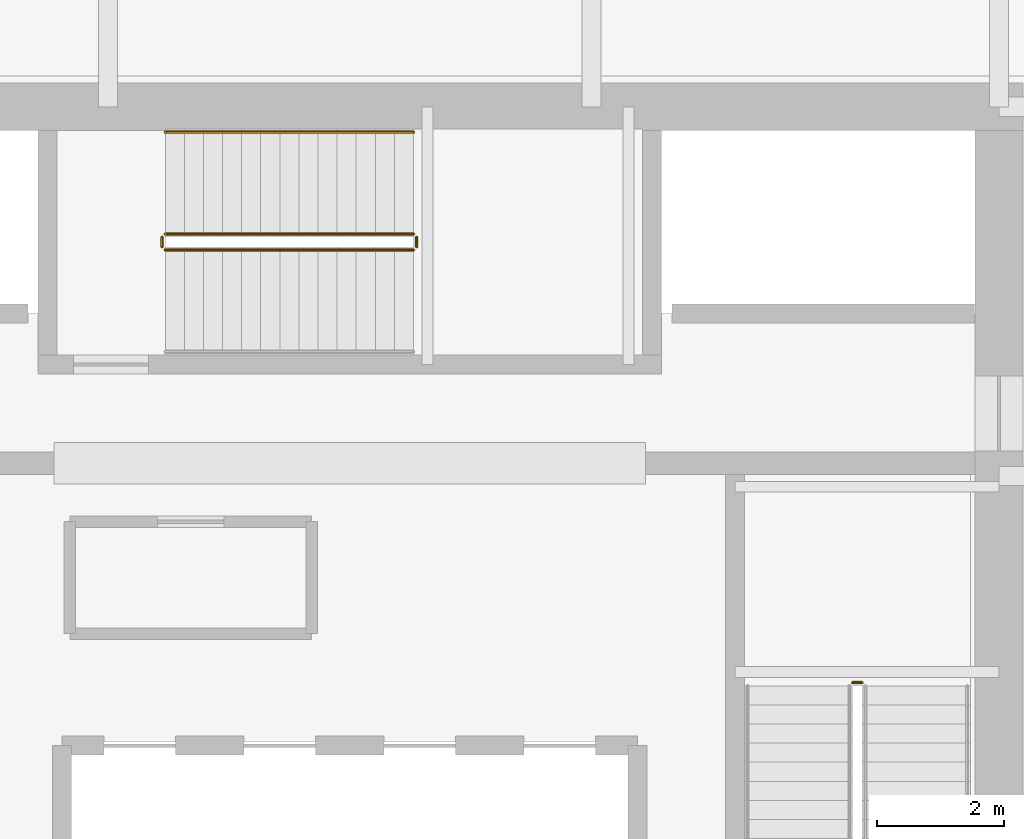
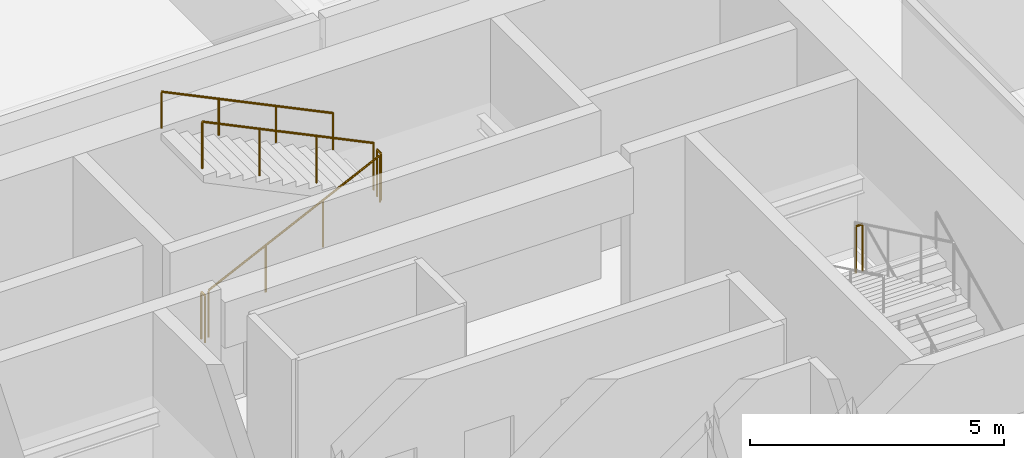
# One storey, part 34 of 35: 6 railings.
"""IFC4 building model written with IfcOpenShell, lengths in metres."""

from ifc_helpers import new_model, si_unit, direction, frame, origin, origin_2d, place, context, subcontext, project, spatial, circle, extrude, material, type_object, element, save


model = new_model("IFC4")

# Units and contexts
model_context = context("Model", 3, precision=1e-05, world=origin(), true_north=direction((0.0, 1.0)))
body_context = subcontext(model_context, "Body", "Model", "MODEL_VIEW")
ifc_project = project(units=[si_unit("LENGTHUNIT", "METRE"), si_unit("AREAUNIT", "SQUARE_METRE"), si_unit("VOLUMEUNIT", "CUBIC_METRE"), si_unit("PLANEANGLEUNIT", "RADIAN"), si_unit("MASSUNIT", "GRAM", prefix="KILO")], contexts=[model_context])

# Site, building, storey
site_placement = place(None, origin())
site = spatial("IfcSite", under=ifc_project, at=site_placement, CompositionType="ELEMENT")
building_placement = place(site_placement, origin())
building = spatial("IfcBuilding", under=site, at=building_placement, Name="Punatoya Terracotta Tower", CompositionType="ELEMENT")
storey_placement = place(building_placement, frame((0.0, 0.0, 113.25)))
storey = spatial("IfcBuildingStorey", under=building, at=storey_placement, Name="L26", CompositionType="ELEMENT", Elevation=113.25)

# Railings
ifc_material = material(Name="Steel S355", Category="steel")
railing_type_1 = type_object("IfcRailingType", Name="RLG-GRD-1150", PredefinedType="GUARDRAIL", material=ifc_material)
railing_1_placement = place(storey_placement, frame((8.050048828125, 0.14990234375, 2.02490234375)))
element("IfcRailing", 1, at=railing_1_placement, inside=storey, type_object=railing_type_1, Name="L26 ST-2 stair guard 2", PredefinedType="GUARDRAIL", context=body_context, shape_type="SweptSolid", body=[
    extrude(circle(Radius=0.02392578125, at=origin_2d()), frame((0.0, 0.0, 1.1259765625), z_axis=(-1.0, 0.0, 0.0), x_axis=(0.0, -1.0, 0.0)), (0.0, 0.0, 1.0), 0.150146484375),
    extrude(circle(Radius=0.02099609375, at=origin_2d()), origin(), (0.0, 0.0, 1.0), 1.101806640625),
    extrude(circle(Radius=0.02099609375, at=origin_2d()), frame((-0.150146484375, 0.0, 0.0)), (0.0, 0.0, 1.0), 1.101806640625),
])
railing_2_placement = place(storey_placement, frame((-2.89990234375, 6.949951171875, 0.14453125)))
element("IfcRailing", 2, at=railing_2_placement, inside=storey, type_object=railing_type_1, Name="L26 ST-3 stair guard 1", PredefinedType="GUARDRAIL", context=body_context, shape_type="SweptSolid", body=[
    extrude(circle(Radius=0.02392578125, at=origin_2d()), frame((0.0, 0.0, 1.1259765625), z_axis=(0.900763166376, 0.0, 0.434310623978), x_axis=(0.0, 1.0, 0.0)), (0.0, 0.0, 1.0), 4.32958984375),
    extrude(circle(Radius=0.02099609375, at=origin_2d()), origin(), (0.0, 0.0, 1.0), 1.101806640625),
    extrude(circle(Radius=0.02099609375, at=origin_2d()), frame((1.300048828125, 0.0, 0.626708984375)), (0.0, 0.0, 1.0), 1.101806640625),
    extrude(circle(Radius=0.02099609375, at=origin_2d()), frame((2.599853515625, 0.0, 1.253662109375)), (0.0, 0.0, 1.0), 1.101806640625),
    extrude(circle(Radius=0.02099609375, at=origin_2d()), frame((3.89990234375, 0.0, 1.88037109375)), (0.0, 0.0, 1.0), 1.101806640625),
])
railing_3_placement = place(storey_placement, frame((1.050048828125, 7.0, 2.02490234375)))
element("IfcRailing", 3, at=railing_3_placement, inside=storey, type_object=railing_type_1, Name="L26 ST-3 stair guard 2", PredefinedType="GUARDRAIL", context=body_context, shape_type="SweptSolid", body=[
    extrude(circle(Radius=0.02392578125, at=origin_2d()), frame((0.0, 0.0, 1.1259765625), z_axis=(0.0, 1.0, 0.0), x_axis=(-1.0, 0.0, 0.0)), (0.0, 0.0, 1.0), 0.14990234375),
    extrude(circle(Radius=0.02099609375, at=origin_2d()), origin(), (0.0, 0.0, 1.0), 1.101806640625),
    extrude(circle(Radius=0.02099609375, at=origin_2d()), frame((0.0, 0.14990234375, 0.0)), (0.0, 0.0, 1.0), 1.101806640625),
])
railing_4_placement = place(storey_placement, frame((1.0, 7.199951171875, 2.169677734375)))
element("IfcRailing", 4, at=railing_4_placement, inside=storey, type_object=railing_type_1, Name="L26 ST-3 stair guard 3", PredefinedType="GUARDRAIL", context=body_context, shape_type="SweptSolid", body=[
    extrude(circle(Radius=0.02392578125, at=origin_2d()), frame((0.0, 0.0, 1.1259765625), z_axis=(-0.900763166376, 0.0, 0.434310623978), x_axis=(0.0, -1.0, 0.0)), (0.0, 0.0, 1.0), 4.32958984375),
    extrude(circle(Radius=0.02099609375, at=origin_2d()), origin(), (0.0, 0.0, 1.0), 1.101806640625),
    extrude(circle(Radius=0.02099609375, at=origin_2d()), frame((-1.300048828125, 0.0, 0.626708984375)), (0.0, 0.0, 1.0), 1.101806640625),
    extrude(circle(Radius=0.02099609375, at=origin_2d()), frame((-2.599853515625, 0.0, 1.253662109375)), (0.0, 0.0, 1.0), 1.101806640625),
    extrude(circle(Radius=0.02099609375, at=origin_2d()), frame((-3.89990234375, 0.0, 1.88037109375)), (0.0, 0.0, 1.0), 1.101806640625),
])
railing_5_placement = place(storey_placement, frame((-2.949951171875, 7.0, 0.0)))
element("IfcRailing", 5, at=railing_5_placement, inside=storey, type_object=railing_type_1, Name="L26 ST-3 stair guard 4", PredefinedType="GUARDRAIL", context=body_context, shape_type="SweptSolid", body=[
    extrude(circle(Radius=0.02392578125, at=origin_2d()), frame((0.0, 0.0, 1.1259765625), z_axis=(0.0, 1.0, 0.0), x_axis=(-1.0, 0.0, 0.0)), (0.0, 0.0, 1.0), 0.14990234375),
    extrude(circle(Radius=0.02099609375, at=origin_2d()), origin(), (0.0, 0.0, 1.0), 1.101806640625),
    extrude(circle(Radius=0.02099609375, at=origin_2d()), frame((0.0, 0.14990234375, 0.0)), (0.0, 0.0, 1.0), 1.101806640625),
])
railing_type_2 = type_object("IfcRailingType", Name="RLG-HND-900", PredefinedType="HANDRAIL", material=ifc_material)
railing_6_placement = place(storey_placement, frame((1.0, 8.800048828125, 2.169677734375)))
element("IfcRailing", 6, at=railing_6_placement, inside=storey, type_object=railing_type_2, Name="L26 ST-3 stair handrail 2", PredefinedType="HANDRAIL", context=body_context, shape_type="SweptSolid", body=[
    extrude(circle(Radius=0.02392578125, at=origin_2d()), frame((0.0, 0.0, 0.8759765625), z_axis=(-0.900763166376, 0.0, 0.434310623978), x_axis=(0.0, -1.0, 0.0)), (0.0, 0.0, 1.0), 4.32958984375),
    extrude(circle(Radius=0.02099609375, at=origin_2d()), origin(), (0.0, 0.0, 1.0), 0.851806640625),
    extrude(circle(Radius=0.02099609375, at=origin_2d()), frame((-1.300048828125, 0.0, 0.626708984375)), (0.0, 0.0, 1.0), 0.851806640625),
    extrude(circle(Radius=0.02099609375, at=origin_2d()), frame((-2.599853515625, 0.0, 1.253662109375)), (0.0, 0.0, 1.0), 0.851806640625),
    extrude(circle(Radius=0.02099609375, at=origin_2d()), frame((-3.89990234375, 0.0, 1.88037109375)), (0.0, 0.0, 1.0), 0.851806640625),
])

save(model, "model.ifc")
